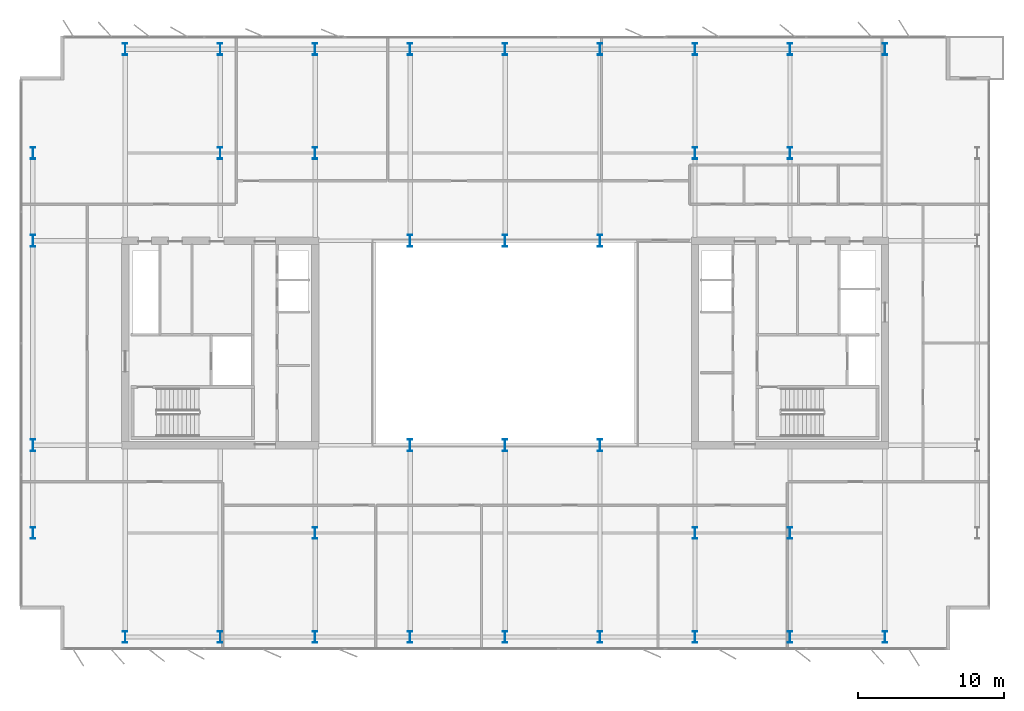
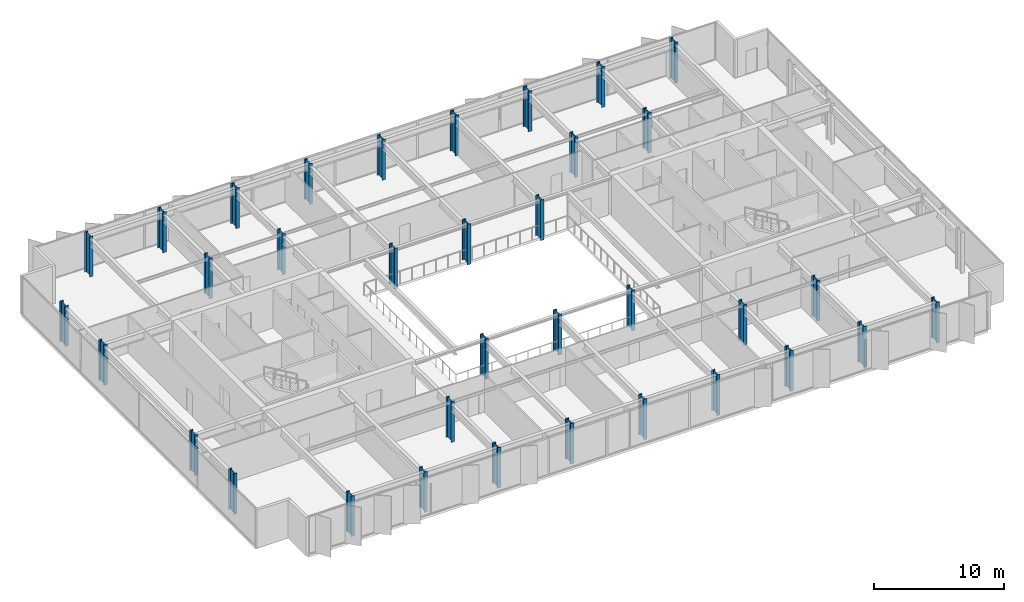
# One storey, part 1 of 23: 35 columns.
"""IFC4 building model written with IfcOpenShell, lengths in metres."""

from ifc_helpers import new_model, si_unit, direction, frame, origin, origin_2d, place, context, subcontext, project, spatial, i_section, extrude, material, material_profile, profile_set, type_object, element, save


model = new_model("IFC4")

# Units and contexts
model_context = context("Model", 3, precision=1e-05, world=origin(), true_north=direction((0.0, 1.0)))
body_context = subcontext(model_context, "Body", "Model", "MODEL_VIEW")
ifc_project = project(units=[si_unit("LENGTHUNIT", "METRE"), si_unit("AREAUNIT", "SQUARE_METRE"), si_unit("VOLUMEUNIT", "CUBIC_METRE"), si_unit("PLANEANGLEUNIT", "RADIAN"), si_unit("MASSUNIT", "GRAM", prefix="KILO")], contexts=[model_context])

# Site, building, storey
site_placement = place(None, origin())
site = spatial("IfcSite", under=ifc_project, at=site_placement, CompositionType="ELEMENT")
building_placement = place(site_placement, origin())
building = spatial("IfcBuilding", under=site, at=building_placement, Name="Putna Gate Headquarters", CompositionType="ELEMENT")
storey_placement = place(building_placement, frame((0.0, 0.0, 206.199951171875)))
storey = spatial("IfcBuildingStorey", under=building, at=storey_placement, Name="L51", CompositionType="ELEMENT", Elevation=206.199951171875)

# Columns
ifc_material = material(Name="Steel S460M", Category="steel")
ifc_material_profile_1 = material_profile(ifc_material, i_section(OverallWidth=0.302978515625, OverallDepth=0.81396484375, WebThickness=0.02099609375, FlangeThickness=0.0400390625, at=origin_2d()), Name="Steel S460M")
ifc_profile_set_1 = profile_set([ifc_material_profile_1], Name="Steel S460M")
column_type_1 = type_object("IfcColumnType", Name="COL-STL-HEM800-EXT", PredefinedType="COLUMN", material=ifc_profile_set_1)
for number, where, z_axis, x_axis, name in (
    (1, (13.0, 5.8798828125, 0.0), (0.0, 0.0, 1.0), (1.0, 0.0, 0.0), "L51 Column CP-S13"),
    (2, (13.0, 46.1201171875, 0.0), (0.0, 0.0, 1.0), (1.0, 0.0, 0.0), "L51 Column CP-N13"),
    (3, (19.5, 5.8798828125, 0.0), (0.0, 0.0, 1.0), (1.0, 0.0, 0.0), "L51 Column CP-S19"),
    (4, (19.5, 46.1201171875, 0.0), (0.0, 0.0, 1.0), (1.0, 0.0, 0.0), "L51 Column CP-N19"),
    (5, (26.0, 5.8798828125, 0.0), (0.0, 0.0, 1.0), (1.0, 0.0, 0.0), "L51 Column CP-S26"),
    (6, (26.0, 46.1201171875, 0.0), (0.0, 0.0, 1.0), (1.0, 0.0, 0.0), "L51 Column CP-N26"),
    (7, (32.5, 5.8798828125, 0.0), (0.0, 0.0, 1.0), (1.0, 0.0, 0.0), "L51 Column CP-S32"),
    (8, (32.5, 46.1201171875, 0.0), (0.0, 0.0, 1.0), (1.0, 0.0, 0.0), "L51 Column CP-N32"),
    (9, (39.0, 5.8798828125, 0.0), (0.0, 0.0, 1.0), (1.0, 0.0, 0.0), "L51 Column CP-S39"),
    (10, (39.0, 46.1201171875, 0.0), (0.0, 0.0, 1.0), (1.0, 0.0, 0.0), "L51 Column CP-N39"),
    (11, (45.5, 5.8798828125, 0.0), (0.0, 0.0, 1.0), (1.0, 0.0, 0.0), "L51 Column CP-S45"),
    (12, (45.5, 46.1201171875, 0.0), (0.0, 0.0, 1.0), (1.0, 0.0, 0.0), "L51 Column CP-N45"),
    (13, (52.0, 5.8798828125, 0.0), (0.0, 0.0, 1.0), (1.0, 0.0, 0.0), "L51 Column CP-S52"),
    (14, (52.0, 46.1201171875, 0.0), (0.0, 0.0, 1.0), (1.0, 0.0, 0.0), "L51 Column CP-N52"),
    (15, (58.5, 5.8798828125, 0.0), (0.0, 0.0, 1.0), (1.0, 0.0, 0.0), "L51 Column CP-S58"),
    (16, (58.5, 46.1201171875, 0.0), (0.0, 0.0, 1.0), (1.0, 0.0, 0.0), "L51 Column CP-N58"),
    (17, (65.0, 5.8798828125, 0.0), (0.0, 0.0, 1.0), (1.0, 0.0, 0.0), "L51 Column CP-S65"),
    (18, (65.0, 46.1201171875, 0.0), (0.0, 0.0, 1.0), (1.0, 0.0, 0.0), "L51 Column CP-N65"),
    (19, (6.679931640625, 13.0, 0.0), (0.0, 0.0, 1.0), (1.0, 0.0, 0.0), "L51 Column CP-W13"),
    (20, (6.679931640625, 19.0, 0.0), (0.0, 0.0, 1.0), (1.0, 0.0, 0.0), "L51 Column CP-W19"),
    (21, (6.679931640625, 33.0, 0.0), (0.0, 0.0, 1.0), (1.0, 0.0, 0.0), "L51 Column CP-W33"),
    (22, (6.679931640625, 39.0, 0.0), (0.0, 0.0, 1.0), (1.0, 0.0, 0.0), "L51 Column CP-W39"),
):
    element("IfcColumn", number, at=place(storey_placement, frame(where, z_axis=z_axis, x_axis=x_axis)), inside=storey, type_object=column_type_1, Name=name, PredefinedType="COLUMN", context=body_context, shape_type="SweptSolid", body=[
        extrude(i_section(OverallWidth=0.302978515625, OverallDepth=0.81396484375, WebThickness=0.02099609375, FlangeThickness=0.0400390625, at=origin_2d()), origin(), (0.0, 0.0, 1.0), 3.800048828125),
    ])
ifc_material_profile_2 = material_profile(ifc_material, i_section(OverallWidth=0.302978515625, OverallDepth=0.81396484375, WebThickness=0.02099609375, FlangeThickness=0.0400390625, at=origin_2d()), Name="Steel S460M")
ifc_profile_set_2 = profile_set([ifc_material_profile_2], Name="Steel S460M")
column_type_2 = type_object("IfcColumnType", Name="COL-STL-HEM800-INT", PredefinedType="COLUMN", material=ifc_profile_set_2)
for number, where, z_axis, x_axis, name in (
    (23, (19.5, 39.0, 0.0), (0.0, 0.0, 1.0), (1.0, 0.0, 0.0), "L51 Column CSI-WN"),
    (24, (58.5, 13.0, 0.0), (0.0, 0.0, 1.0), (1.0, 0.0, 0.0), "L51 Column CSI-ES"),
    (25, (58.5, 39.0, 0.0), (0.0, 0.0, 1.0), (1.0, 0.0, 0.0), "L51 Column CSI-EN"),
    (26, (32.5, 19.0, 0.0), (0.0, 0.0, 1.0), (1.0, 0.0, 0.0), "L51 Column CAI-S32"),
    (27, (32.5, 33.0, 0.0), (0.0, 0.0, 1.0), (1.0, 0.0, 0.0), "L51 Column CAI-N32"),
    (28, (39.0, 19.0, 0.0), (0.0, 0.0, 1.0), (1.0, 0.0, 0.0), "L51 Column CAI-S39"),
    (29, (39.0, 33.0, 0.0), (0.0, 0.0, 1.0), (1.0, 0.0, 0.0), "L51 Column CAI-N39"),
    (30, (45.5, 19.0, 0.0), (0.0, 0.0, 1.0), (1.0, 0.0, 0.0), "L51 Column CAI-S45"),
    (31, (45.5, 33.0, 0.0), (0.0, 0.0, 1.0), (1.0, 0.0, 0.0), "L51 Column CAI-N45"),
    (32, (26.0, 13.0, 0.0), (0.0, 0.0, 1.0), (1.0, 0.0, 0.0), "L51 Column CAP-WS"),
    (33, (26.0, 39.0, 0.0), (0.0, 0.0, 1.0), (1.0, 0.0, 0.0), "L51 Column CAP-WN"),
    (34, (52.0, 13.0, 0.0), (0.0, 0.0, 1.0), (1.0, 0.0, 0.0), "L51 Column CAP-ES"),
    (35, (52.0, 39.0, 0.0), (0.0, 0.0, 1.0), (1.0, 0.0, 0.0), "L51 Column CAP-EN"),
):
    element("IfcColumn", number, at=place(storey_placement, frame(where, z_axis=z_axis, x_axis=x_axis)), inside=storey, type_object=column_type_2, Name=name, PredefinedType="COLUMN", context=body_context, shape_type="SweptSolid", body=[
        extrude(i_section(OverallWidth=0.302978515625, OverallDepth=0.81396484375, WebThickness=0.02099609375, FlangeThickness=0.0400390625, at=origin_2d()), origin(), (0.0, 0.0, 1.0), 3.800048828125),
    ])

save(model, "model.ifc")
